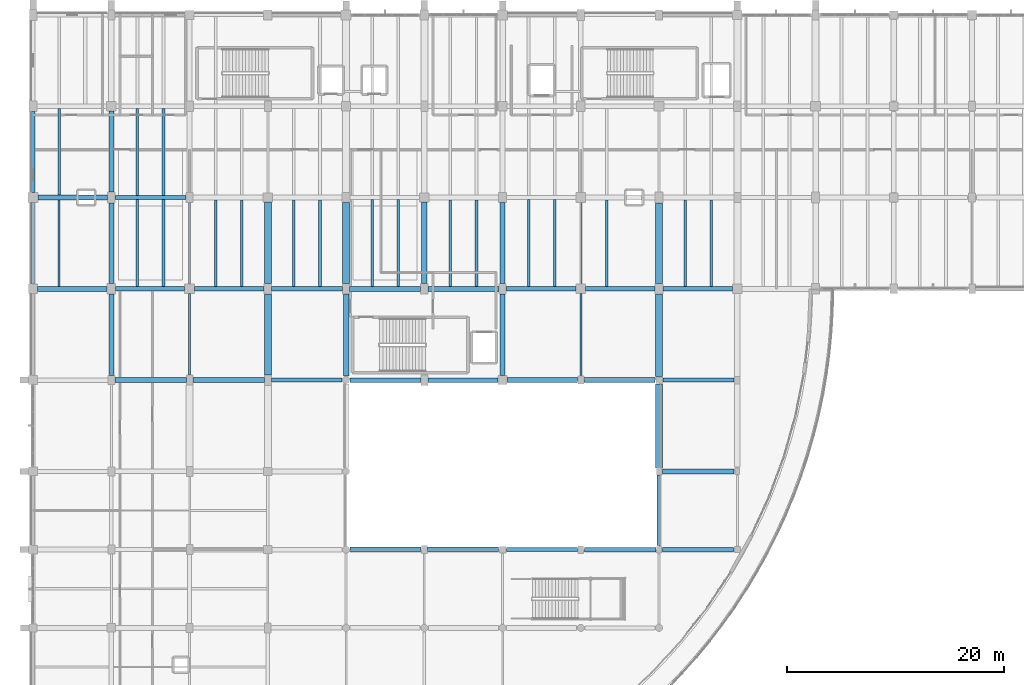
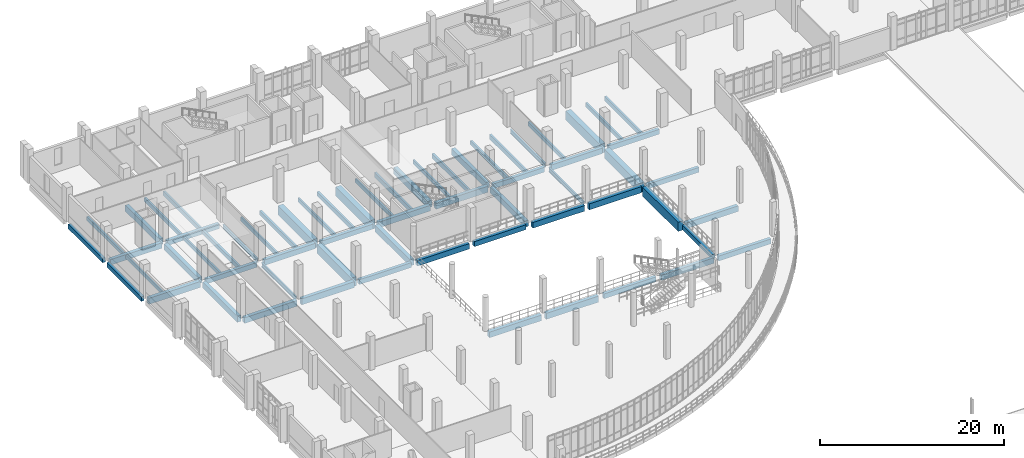
# One storey, part 53 of 134: 64 beams.
"""IFC4 building model written with IfcOpenShell, lengths in metres."""

from ifc_helpers import new_model, si_unit, direction, frame, origin, origin_2d, place, context, subcontext, project, spatial, rectangle, i_section, extrude, material, material_profile, profile_set, type_object, element, save


model = new_model("IFC4")

# Units and contexts
model_context = context("Model", 3, precision=1e-05, world=origin(), true_north=direction((0.0, 1.0)))
body_context = subcontext(model_context, "Body", "Model", "MODEL_VIEW")
ifc_project = project(units=[si_unit("LENGTHUNIT", "METRE"), si_unit("AREAUNIT", "SQUARE_METRE"), si_unit("VOLUMEUNIT", "CUBIC_METRE"), si_unit("PLANEANGLEUNIT", "RADIAN"), si_unit("MASSUNIT", "GRAM", prefix="KILO")], contexts=[model_context])

# Site, building, storey
site_placement = place(None, origin())
site = spatial("IfcSite", under=ifc_project, at=site_placement, CompositionType="ELEMENT")
building_placement = place(site_placement, origin())
building = spatial("IfcBuilding", under=site, at=building_placement, Name="Kalluvel Institute of Natural Sciences", CompositionType="ELEMENT")
storey_placement = place(building_placement, frame((0.0, 0.0, 5.39990234375)))
storey = spatial("IfcBuildingStorey", under=building, at=storey_placement, Name="L01", CompositionType="ELEMENT", Elevation=5.39990234375)

# Beams
ifc_material_1 = material(Name="Steel E350 Grade 350", Category="steel")
ifc_material_profile_1 = material_profile(ifc_material_1, i_section(OverallWidth=0.18994140625, OverallDepth=0.550048828125, WebThickness=0.01123046875, FlangeThickness=0.019287109375, FilletRadius=0.01806640625, at=origin_2d()), Name="ISMB 550")
ifc_profile_set_1 = profile_set([ifc_material_profile_1], Name="Steel E350 Grade 350")
beam_type_1 = type_object("IfcBeamType", Name="BM-ISMB550", PredefinedType="BEAM", material=ifc_profile_set_1)
beam_1_placement = place(storey_placement, frame((28.39990234375, 94.85009765625, -0.574951171875), z_axis=(0.0, 1.0, 0.0), x_axis=(-1.0, 0.0, 0.0)))
element("IfcBeam", 1, at=beam_1_placement, inside=storey, type_object=beam_type_1, Name="L01 girder GIR-L01-NS-X284-Y944", PredefinedType="BEAM", context=body_context, shape_type="SweptSolid", body=[
    extrude(i_section(OverallWidth=0.18994140625, OverallDepth=0.550048828125, WebThickness=0.01123046875, FlangeThickness=0.019287109375, FilletRadius=0.01806640625, at=origin_2d()), origin(), (0.0, 0.0, 1.0), 7.5),
])
beam_2_placement = place(storey_placement, frame((28.39990234375, 103.25, -0.594970703125), z_axis=(0.0, 1.0, 0.0), x_axis=(-1.0, 0.0, 0.0)))
element("IfcBeam", 2, at=beam_2_placement, inside=storey, type_object=beam_type_1, Name="L01 girder GIR-L01-NS-X284-Y1028", PredefinedType="BEAM", context=body_context, shape_type="SweptSolid", body=[
    extrude(i_section(OverallWidth=0.18994140625, OverallDepth=0.550048828125, WebThickness=0.01123046875, FlangeThickness=0.019287109375, FilletRadius=0.01806640625, at=origin_2d()), origin(), (0.0, 0.0, 1.0), 7.47509765625),
])
beam_3_placement = place(storey_placement, frame((64.39990234375, 94.800048828125, -0.594970703125), z_axis=(0.0, 1.0, 0.0), x_axis=(-1.0, 0.0, 0.0)))
element("IfcBeam", 3, at=beam_3_placement, inside=storey, type_object=beam_type_1, Name="L01 girder GIR-L01-NS-X644-Y944", PredefinedType="BEAM", context=body_context, shape_type="SweptSolid", body=[
    extrude(i_section(OverallWidth=0.18994140625, OverallDepth=0.550048828125, WebThickness=0.01123046875, FlangeThickness=0.019287109375, FilletRadius=0.01806640625, at=origin_2d()), origin(), (0.0, 0.0, 1.0), 7.574951171875),
])
beam_4_placement = place(storey_placement, frame((64.39990234375, 103.22509765625, -0.594970703125), z_axis=(0.0, 1.0, 0.0), x_axis=(-1.0, 0.0, 0.0)))
element("IfcBeam", 4, at=beam_4_placement, inside=storey, type_object=beam_type_1, Name="L01 girder GIR-L01-NS-X644-Y1028", PredefinedType="BEAM", context=body_context, shape_type="SweptSolid", body=[
    extrude(i_section(OverallWidth=0.18994140625, OverallDepth=0.550048828125, WebThickness=0.01123046875, FlangeThickness=0.019287109375, FilletRadius=0.01806640625, at=origin_2d()), origin(), (0.0, 0.0, 1.0), 7.52490234375),
])
ifc_material_2 = material(Name="Concrete M40", Category="concrete")
ifc_material_profile_2 = material_profile(ifc_material_2, rectangle(XDim=0.35009765625, YDim=0.60009765625, at=origin_2d()), Name="RCB 350x600")
ifc_profile_set_2 = profile_set([ifc_material_profile_2], Name="Concrete M40")
beam_type_2 = type_object("IfcBeamType", Name="BM-RC350x600", PredefinedType="BEAM", material=ifc_profile_set_2)
beam_5_placement = place(storey_placement, frame((71.60009765625, 79.199951171875, -0.619873046875), z_axis=(0.0, 1.0, 0.0), x_axis=(-1.0, 0.0, 0.0)))
element("IfcBeam", 5, at=beam_5_placement, inside=storey, type_object=beam_type_2, Name="L01 girder GIR-L01-NS-X716-Y788", PredefinedType="BEAM", context=body_context, shape_type="SweptSolid", body=[
    extrude(rectangle(XDim=0.35009765625, YDim=0.60009765625, at=origin_2d()), origin(), (0.0, 0.0, 1.0), 6.47509765625),
])
ifc_material_profile_3 = material_profile(ifc_material_2, rectangle(XDim=0.3798828125, YDim=0.639892578125, at=origin_2d()), Name="RCB 380x640")
ifc_profile_set_3 = profile_set([ifc_material_profile_3], Name="Concrete M40")
beam_type_3 = type_object("IfcBeamType", Name="BM-RC380x640", PredefinedType="BEAM", material=ifc_profile_set_3)
beam_6_placement = place(storey_placement, frame((57.550048828125, 78.800048828125, -0.639892578125), z_axis=(1.0, 0.0, 0.0), x_axis=(0.0, 1.0, 0.0)))
element("IfcBeam", 6, at=beam_6_placement, inside=storey, type_object=beam_type_3, Name="L01 girder GIR-L01-EW-X572-Y788", PredefinedType="BEAM", context=body_context, shape_type="SweptSolid", body=[
    extrude(rectangle(XDim=0.3798828125, YDim=0.639892578125, at=origin_2d()), origin(), (0.0, 0.0, 1.0), 6.52490234375),
])
beam_7_placement = place(storey_placement, frame((35.925048828125, 94.39990234375, -0.639892578125), z_axis=(1.0, 0.0, 0.0), x_axis=(0.0, 1.0, 0.0)))
element("IfcBeam", 7, at=beam_7_placement, inside=storey, type_object=beam_type_3, Name="L01 girder GIR-L01-EW-X356-Y944", PredefinedType="BEAM", context=body_context, shape_type="SweptSolid", body=[
    extrude(rectangle(XDim=0.3798828125, YDim=0.639892578125, at=origin_2d()), origin(), (0.0, 0.0, 1.0), 6.5),
])
beam_8_placement = place(storey_placement, frame((71.949951171875, 94.39990234375, -0.639892578125), z_axis=(1.0, 0.0, 0.0), x_axis=(0.0, 1.0, 0.0)))
element("IfcBeam", 8, at=beam_8_placement, inside=storey, type_object=beam_type_3, Name="L01 girder GIR-L01-EW-X716-Y944", PredefinedType="BEAM", context=body_context, shape_type="SweptSolid", body=[
    extrude(rectangle(XDim=0.3798828125, YDim=0.639892578125, at=origin_2d()), origin(), (0.0, 0.0, 1.0), 6.525146484375),
])
beam_9_placement = place(storey_placement, frame((21.574951171875, 102.800048828125, -0.639892578125), z_axis=(1.0, 0.0, 0.0), x_axis=(0.0, 1.0, 0.0)))
element("IfcBeam", 9, at=beam_9_placement, inside=storey, type_object=beam_type_3, Name="L01 girder GIR-L01-EW-X212-Y1028", PredefinedType="BEAM", context=body_context, shape_type="SweptSolid", body=[
    extrude(rectangle(XDim=0.3798828125, YDim=0.639892578125, at=origin_2d()), origin(), (0.0, 0.0, 1.0), 6.375),
])
beam_10_placement = place(storey_placement, frame((57.52490234375, 102.800048828125, -0.639892578125), z_axis=(1.0, 0.0, 0.0), x_axis=(0.0, 1.0, 0.0)))
element("IfcBeam", 10, at=beam_10_placement, inside=storey, type_object=beam_type_3, Name="L01 girder GIR-L01-EW-X572-Y1028", PredefinedType="BEAM", context=body_context, shape_type="SweptSolid", body=[
    extrude(rectangle(XDim=0.3798828125, YDim=0.639892578125, at=origin_2d()), origin(), (0.0, 0.0, 1.0), 6.4501953125),
])
ifc_material_profile_4 = material_profile(ifc_material_2, rectangle(XDim=0.39990234375, YDim=0.64990234375, at=origin_2d()), Name="RCB 400x650")
ifc_profile_set_4 = profile_set([ifc_material_profile_4], Name="Concrete M40")
beam_type_4 = type_object("IfcBeamType", Name="BM-RC400x650", PredefinedType="BEAM", material=ifc_profile_set_4)
beam_11_placement = place(storey_placement, frame((71.89990234375, 78.800048828125, -0.64501953125), z_axis=(1.0, 0.0, 0.0), x_axis=(0.0, 1.0, 0.0)))
element("IfcBeam", 11, at=beam_11_placement, inside=storey, type_object=beam_type_4, Name="L01 girder GIR-L01-EW-X716-Y788", PredefinedType="BEAM", context=body_context, shape_type="SweptSolid", body=[
    extrude(rectangle(XDim=0.39990234375, YDim=0.64990234375, at=origin_2d()), origin(), (0.0, 0.0, 1.0), 6.550048828125),
])
beam_12_placement = place(storey_placement, frame((50.324951171875, 94.39990234375, -0.64501953125), z_axis=(1.0, 0.0, 0.0), x_axis=(0.0, 1.0, 0.0)))
element("IfcBeam", 12, at=beam_12_placement, inside=storey, type_object=beam_type_4, Name="L01 girder GIR-L01-EW-X500-Y944", PredefinedType="BEAM", context=body_context, shape_type="SweptSolid", body=[
    extrude(rectangle(XDim=0.39990234375, YDim=0.64990234375, at=origin_2d()), origin(), (0.0, 0.0, 1.0), 6.449951171875),
])
beam_13_placement = place(storey_placement, frame((35.949951171875, 102.800048828125, -0.64501953125), z_axis=(1.0, 0.0, 0.0), x_axis=(0.0, 1.0, 0.0)))
element("IfcBeam", 13, at=beam_13_placement, inside=storey, type_object=beam_type_4, Name="L01 girder GIR-L01-EW-X356-Y1028", PredefinedType="BEAM", context=body_context, shape_type="SweptSolid", body=[
    extrude(rectangle(XDim=0.39990234375, YDim=0.64990234375, at=origin_2d()), origin(), (0.0, 0.0, 1.0), 6.525146484375),
])
beam_14_placement = place(storey_placement, frame((71.97509765625, 102.800048828125, -0.64501953125), z_axis=(1.0, 0.0, 0.0), x_axis=(0.0, 1.0, 0.0)))
element("IfcBeam", 14, at=beam_14_placement, inside=storey, type_object=beam_type_4, Name="L01 girder GIR-L01-EW-X716-Y1028", PredefinedType="BEAM", context=body_context, shape_type="SweptSolid", body=[
    extrude(rectangle(XDim=0.39990234375, YDim=0.64990234375, at=origin_2d()), origin(), (0.0, 0.0, 1.0), 6.375),
])
beam_15_placement = place(storey_placement, frame((21.550048828125, 111.199951171875, -0.64501953125), z_axis=(1.0, 0.0, 0.0), x_axis=(0.0, 1.0, 0.0)))
element("IfcBeam", 15, at=beam_15_placement, inside=storey, type_object=beam_type_4, Name="L01 girder GIR-L01-EW-X212-Y1112", PredefinedType="BEAM", context=body_context, shape_type="SweptSolid", body=[
    extrude(rectangle(XDim=0.39990234375, YDim=0.64990234375, at=origin_2d()), origin(), (0.0, 0.0, 1.0), 6.52490234375),
])
ifc_material_profile_5 = material_profile(ifc_material_2, rectangle(XDim=0.419921875, YDim=0.719970703125, at=origin_2d()), Name="RCB 420x720")
ifc_profile_set_5 = profile_set([ifc_material_profile_5], Name="Concrete M40")
beam_type_5 = type_object("IfcBeamType", Name="BM-RC420x720", PredefinedType="BEAM", material=ifc_profile_set_5)
beam_16_placement = place(storey_placement, frame((64.72509765625, 78.800048828125, -0.679931640625), z_axis=(1.0, 0.0, 0.0), x_axis=(0.0, 1.0, 0.0)))
element("IfcBeam", 16, at=beam_16_placement, inside=storey, type_object=beam_type_5, Name="L01 girder GIR-L01-EW-X644-Y788", PredefinedType="BEAM", context=body_context, shape_type="SweptSolid", body=[
    extrude(rectangle(XDim=0.419921875, YDim=0.719970703125, at=origin_2d()), origin(), (0.0, 0.0, 1.0), 6.574951171875),
])
beam_17_placement = place(storey_placement, frame((43.175048828125, 94.39990234375, -0.679931640625), z_axis=(1.0, 0.0, 0.0), x_axis=(0.0, 1.0, 0.0)))
element("IfcBeam", 17, at=beam_17_placement, inside=storey, type_object=beam_type_5, Name="L01 girder GIR-L01-EW-X428-Y944", PredefinedType="BEAM", context=body_context, shape_type="SweptSolid", body=[
    extrude(rectangle(XDim=0.419921875, YDim=0.719970703125, at=origin_2d()), origin(), (0.0, 0.0, 1.0), 6.5),
])
beam_18_placement = place(storey_placement, frame((28.85009765625, 102.800048828125, -0.679931640625), z_axis=(1.0, 0.0, 0.0), x_axis=(0.0, 1.0, 0.0)))
element("IfcBeam", 18, at=beam_18_placement, inside=storey, type_object=beam_type_5, Name="L01 girder GIR-L01-EW-X284-Y1028", PredefinedType="BEAM", context=body_context, shape_type="SweptSolid", body=[
    extrude(rectangle(XDim=0.419921875, YDim=0.719970703125, at=origin_2d()), origin(), (0.0, 0.0, 1.0), 6.39990234375),
])
for number, where, z_axis, x_axis, name in (
    (19, (64.824951171875, 102.800048828125, -0.679931640625), (1.0, 0.0, 0.0), (0.0, 1.0, 0.0), "L01 girder GIR-L01-EW-X644-Y1028"),
    (20, (14.449951171875, 111.199951171875, -0.679931640625), (1.0, 0.0, 0.0), (0.0, 1.0, 0.0), "L01 girder GIR-L01-EW-X140-Y1112"),
):
    element("IfcBeam", number, at=place(storey_placement, frame(where, z_axis=z_axis, x_axis=x_axis)), inside=storey, type_object=beam_type_5, Name=name, PredefinedType="BEAM", context=body_context, shape_type="SweptSolid", body=[
        extrude(rectangle(XDim=0.419921875, YDim=0.719970703125, at=origin_2d()), origin(), (0.0, 0.0, 1.0), 6.400146484375),
    ])
ifc_material_profile_6 = material_profile(ifc_material_2, rectangle(XDim=0.449951171875, YDim=0.75, at=origin_2d()), Name="RCB 450x750")
ifc_profile_set_6 = profile_set([ifc_material_profile_6], Name="Concrete M40")
beam_type_6 = type_object("IfcBeamType", Name="BM-RC450x750", PredefinedType="BEAM", material=ifc_profile_set_6)
beam_19_placement = place(storey_placement, frame((43.175048828125, 78.800048828125, -0.69482421875), z_axis=(1.0, 0.0, 0.0), x_axis=(0.0, 1.0, 0.0)))
element("IfcBeam", 21, at=beam_19_placement, inside=storey, type_object=beam_type_6, Name="L01 girder GIR-L01-EW-X428-Y788", PredefinedType="BEAM", context=body_context, shape_type="SweptSolid", body=[
    extrude(rectangle(XDim=0.449951171875, YDim=0.75, at=origin_2d()), origin(), (0.0, 0.0, 1.0), 6.52490234375),
])
beam_20_placement = place(storey_placement, frame((71.925048828125, 86.0, -0.69482421875), z_axis=(1.0, 0.0, 0.0), x_axis=(0.0, 1.0, 0.0)))
element("IfcBeam", 22, at=beam_20_placement, inside=storey, type_object=beam_type_6, Name="L01 girder GIR-L01-EW-X716-Y860", PredefinedType="BEAM", context=body_context, shape_type="SweptSolid", body=[
    extrude(rectangle(XDim=0.449951171875, YDim=0.75, at=origin_2d()), origin(), (0.0, 0.0, 1.0), 6.574951171875),
])
beam_21_placement = place(storey_placement, frame((21.52490234375, 94.39990234375, -0.6748046875), z_axis=(1.0, 0.0, 0.0), x_axis=(0.0, 1.0, 0.0)))
element("IfcBeam", 23, at=beam_21_placement, inside=storey, type_object=beam_type_6, Name="L01 girder GIR-L01-EW-X212-Y944", PredefinedType="BEAM", context=body_context, shape_type="SweptSolid", body=[
    extrude(rectangle(XDim=0.449951171875, YDim=0.75, at=origin_2d()), origin(), (0.0, 0.0, 1.0), 6.5751953125),
])
beam_22_placement = place(storey_placement, frame((57.625, 94.39990234375, -0.69482421875), z_axis=(1.0, 0.0, 0.0), x_axis=(0.0, 1.0, 0.0)))
element("IfcBeam", 24, at=beam_22_placement, inside=storey, type_object=beam_type_6, Name="L01 girder GIR-L01-EW-X572-Y944", PredefinedType="BEAM", context=body_context, shape_type="SweptSolid", body=[
    extrude(rectangle(XDim=0.449951171875, YDim=0.75, at=origin_2d()), origin(), (0.0, 0.0, 1.0), 6.47509765625),
])
beam_23_placement = place(storey_placement, frame((43.125, 102.800048828125, -0.69482421875), z_axis=(1.0, 0.0, 0.0), x_axis=(0.0, 1.0, 0.0)))
element("IfcBeam", 25, at=beam_23_placement, inside=storey, type_object=beam_type_6, Name="L01 girder GIR-L01-EW-X428-Y1028", PredefinedType="BEAM", context=body_context, shape_type="SweptSolid", body=[
    extrude(rectangle(XDim=0.449951171875, YDim=0.75, at=origin_2d()), origin(), (0.0, 0.0, 1.0), 6.52490234375),
])
ifc_material_profile_7 = material_profile(ifc_material_2, rectangle(XDim=0.449951171875, YDim=0.800048828125, at=origin_2d()), Name="RCB 450x800")
ifc_profile_set_7 = profile_set([ifc_material_profile_7], Name="Concrete M40")
beam_type_7 = type_object("IfcBeamType", Name="BM-RC450x800", PredefinedType="BEAM", material=ifc_profile_set_7)
beam_24_placement = place(storey_placement, frame((50.300048828125, 78.800048828125, -0.719970703125), z_axis=(1.0, 0.0, 0.0), x_axis=(0.0, 1.0, 0.0)))
element("IfcBeam", 26, at=beam_24_placement, inside=storey, type_object=beam_type_7, Name="L01 girder GIR-L01-EW-X500-Y788", PredefinedType="BEAM", context=body_context, shape_type="SweptSolid", body=[
    extrude(rectangle(XDim=0.449951171875, YDim=0.800048828125, at=origin_2d()), origin(), (0.0, 0.0, 1.0), 6.550048828125),
])
beam_25_placement = place(storey_placement, frame((28.699951171875, 94.39990234375, -0.699951171875), z_axis=(1.0, 0.0, 0.0), x_axis=(0.0, 1.0, 0.0)))
element("IfcBeam", 27, at=beam_25_placement, inside=storey, type_object=beam_type_7, Name="L01 girder GIR-L01-EW-X284-Y944", PredefinedType="BEAM", context=body_context, shape_type="SweptSolid", body=[
    extrude(rectangle(XDim=0.449951171875, YDim=0.800048828125, at=origin_2d()), origin(), (0.0, 0.0, 1.0), 6.574951171875),
])
beam_26_placement = place(storey_placement, frame((64.699951171875, 94.39990234375, -0.719970703125), z_axis=(1.0, 0.0, 0.0), x_axis=(0.0, 1.0, 0.0)))
element("IfcBeam", 28, at=beam_26_placement, inside=storey, type_object=beam_type_7, Name="L01 girder GIR-L01-EW-X644-Y944", PredefinedType="BEAM", context=body_context, shape_type="SweptSolid", body=[
    extrude(rectangle(XDim=0.449951171875, YDim=0.800048828125, at=origin_2d()), origin(), (0.0, 0.0, 1.0), 6.550048828125),
])
beam_27_placement = place(storey_placement, frame((14.425048828125, 102.800048828125, -0.719970703125), z_axis=(1.0, 0.0, 0.0), x_axis=(0.0, 1.0, 0.0)))
element("IfcBeam", 29, at=beam_27_placement, inside=storey, type_object=beam_type_7, Name="L01 girder GIR-L01-EW-X140-Y1028", PredefinedType="BEAM", context=body_context, shape_type="SweptSolid", body=[
    extrude(rectangle(XDim=0.449951171875, YDim=0.800048828125, at=origin_2d()), origin(), (0.0, 0.0, 1.0), 6.39990234375),
])
beam_28_placement = place(storey_placement, frame((50.35009765625, 102.800048828125, -0.719970703125), z_axis=(1.0, 0.0, 0.0), x_axis=(0.0, 1.0, 0.0)))
element("IfcBeam", 30, at=beam_28_placement, inside=storey, type_object=beam_type_7, Name="L01 girder GIR-L01-EW-X500-Y1028", PredefinedType="BEAM", context=body_context, shape_type="SweptSolid", body=[
    extrude(rectangle(XDim=0.449951171875, YDim=0.800048828125, at=origin_2d()), origin(), (0.0, 0.0, 1.0), 6.52490234375),
])
beam_29_placement = place(storey_placement, frame((21.199951171875, 94.824951171875, -0.699951171875), z_axis=(0.0, 1.0, 0.0), x_axis=(-1.0, 0.0, 0.0)))
element("IfcBeam", 31, at=beam_29_placement, inside=storey, type_object=beam_type_7, Name="L01 girder GIR-L01-NS-X212-Y944", PredefinedType="BEAM", context=body_context, shape_type="SweptSolid", body=[
    extrude(rectangle(XDim=0.449951171875, YDim=0.800048828125, at=origin_2d()), origin(), (0.0, 0.0, 1.0), 7.5),
])
beam_30_placement = place(storey_placement, frame((21.199951171875, 103.27490234375, -0.719970703125), z_axis=(0.0, 1.0, 0.0), x_axis=(-1.0, 0.0, 0.0)))
element("IfcBeam", 32, at=beam_30_placement, inside=storey, type_object=beam_type_7, Name="L01 girder GIR-L01-NS-X212-Y1028", PredefinedType="BEAM", context=body_context, shape_type="SweptSolid", body=[
    extrude(rectangle(XDim=0.449951171875, YDim=0.800048828125, at=origin_2d()), origin(), (0.0, 0.0, 1.0), 7.425048828125),
])
beam_31_placement = place(storey_placement, frame((21.199951171875, 111.699951171875, -0.719970703125), z_axis=(0.0, 1.0, 0.0), x_axis=(-1.0, 0.0, 0.0)))
element("IfcBeam", 33, at=beam_31_placement, inside=storey, type_object=beam_type_7, Name="L01 girder GIR-L01-NS-X212-Y1112", PredefinedType="BEAM", context=body_context, shape_type="SweptSolid", body=[
    extrude(rectangle(XDim=0.449951171875, YDim=0.800048828125, at=origin_2d()), origin(), (0.0, 0.0, 1.0), 7.449951171875),
])
beam_32_placement = place(storey_placement, frame((57.199951171875, 94.824951171875, -0.719970703125), z_axis=(0.0, 1.0, 0.0), x_axis=(-1.0, 0.0, 0.0)))
element("IfcBeam", 34, at=beam_32_placement, inside=storey, type_object=beam_type_7, Name="L01 girder GIR-L01-NS-X572-Y944", PredefinedType="BEAM", context=body_context, shape_type="SweptSolid", body=[
    extrude(rectangle(XDim=0.449951171875, YDim=0.800048828125, at=origin_2d()), origin(), (0.0, 0.0, 1.0), 7.5),
])
beam_33_placement = place(storey_placement, frame((57.199951171875, 103.27490234375, -0.719970703125), z_axis=(0.0, 1.0, 0.0), x_axis=(-1.0, 0.0, 0.0)))
element("IfcBeam", 35, at=beam_33_placement, inside=storey, type_object=beam_type_7, Name="L01 girder GIR-L01-NS-X572-Y1028", PredefinedType="BEAM", context=body_context, shape_type="SweptSolid", body=[
    extrude(rectangle(XDim=0.449951171875, YDim=0.800048828125, at=origin_2d()), origin(), (0.0, 0.0, 1.0), 7.4501953125),
])
ifc_material_3 = material(Name="Concrete M50", Category="concrete")
ifc_material_profile_8 = material_profile(ifc_material_3, rectangle(XDim=0.5, YDim=0.85009765625, at=origin_2d()), Name="RCB 500x850")
ifc_profile_set_8 = profile_set([ifc_material_profile_8], Name="Concrete M50")
beam_type_8 = type_object("IfcBeamType", Name="BM-RC500x850", PredefinedType="BEAM", material=ifc_profile_set_8)
beam_34_placement = place(storey_placement, frame((42.800048828125, 94.77490234375, -0.744873046875), z_axis=(0.0, 1.0, 0.0), x_axis=(-1.0, 0.0, 0.0)))
element("IfcBeam", 36, at=beam_34_placement, inside=storey, type_object=beam_type_8, Name="L01 girder GIR-L01-NS-X428-Y944", PredefinedType="BEAM", context=body_context, shape_type="SweptSolid", body=[
    extrude(rectangle(XDim=0.5, YDim=0.85009765625, at=origin_2d()), origin(), (0.0, 0.0, 1.0), 7.550048828125),
])
beam_35_placement = place(storey_placement, frame((50.0, 103.300048828125, -0.744873046875), z_axis=(0.0, 1.0, 0.0), x_axis=(-1.0, 0.0, 0.0)))
element("IfcBeam", 37, at=beam_35_placement, inside=storey, type_object=beam_type_8, Name="L01 girder GIR-L01-NS-X500-Y1028", PredefinedType="BEAM", context=body_context, shape_type="SweptSolid", body=[
    extrude(rectangle(XDim=0.5, YDim=0.85009765625, at=origin_2d()), origin(), (0.0, 0.0, 1.0), 7.474853515625),
])
ifc_material_profile_9 = material_profile(ifc_material_3, rectangle(XDim=0.64990234375, YDim=1.199951171875, at=origin_2d()), Name="RCB 650x1200")
ifc_profile_set_9 = profile_set([ifc_material_profile_9], Name="Concrete M50")
beam_type_9 = type_object("IfcBeamType", Name="BM-RC650x1200", PredefinedType="BEAM", material=ifc_profile_set_9)
beam_36_placement = place(storey_placement, frame((35.60009765625, 94.875, -0.89990234375), z_axis=(0.0, 1.0, 0.0), x_axis=(-1.0, 0.0, 0.0)))
element("IfcBeam", 38, at=beam_36_placement, inside=storey, type_object=beam_type_9, Name="L01 girder GIR-L01-NS-X356-Y944", PredefinedType="BEAM", context=body_context, shape_type="SweptSolid", body=[
    extrude(rectangle(XDim=0.64990234375, YDim=1.199951171875, at=origin_2d()), origin(), (0.0, 0.0, 1.0), 7.425048828125),
])
beam_37_placement = place(storey_placement, frame((35.60009765625, 103.300048828125, -0.919921875), z_axis=(0.0, 1.0, 0.0), x_axis=(-1.0, 0.0, 0.0)))
element("IfcBeam", 39, at=beam_37_placement, inside=storey, type_object=beam_type_9, Name="L01 girder GIR-L01-NS-X356-Y1028", PredefinedType="BEAM", context=body_context, shape_type="SweptSolid", body=[
    extrude(rectangle(XDim=0.64990234375, YDim=1.199951171875, at=origin_2d()), origin(), (0.0, 0.0, 1.0), 7.474853515625),
])
beam_38_placement = place(storey_placement, frame((42.800048828125, 103.27490234375, -0.919921875), z_axis=(0.0, 1.0, 0.0), x_axis=(-1.0, 0.0, 0.0)))
element("IfcBeam", 40, at=beam_38_placement, inside=storey, type_object=beam_type_9, Name="L01 girder GIR-L01-NS-X428-Y1028", PredefinedType="BEAM", context=body_context, shape_type="SweptSolid", body=[
    extrude(rectangle(XDim=0.64990234375, YDim=1.199951171875, at=origin_2d()), origin(), (0.0, 0.0, 1.0), 7.4501953125),
])
beam_39_placement = place(storey_placement, frame((71.60009765625, 86.324951171875, -0.919921875), z_axis=(0.0, 1.0, 0.0), x_axis=(-1.0, 0.0, 0.0)))
element("IfcBeam", 41, at=beam_39_placement, inside=storey, type_object=beam_type_9, Name="L01 girder GIR-L01-NS-X716-Y860", PredefinedType="BEAM", context=body_context, shape_type="SweptSolid", body=[
    extrude(rectangle(XDim=0.64990234375, YDim=1.199951171875, at=origin_2d()), origin(), (0.0, 0.0, 1.0), 7.72509765625),
])
beam_40_placement = place(storey_placement, frame((71.60009765625, 94.75, -0.919921875), z_axis=(0.0, 1.0, 0.0), x_axis=(-1.0, 0.0, 0.0)))
element("IfcBeam", 42, at=beam_40_placement, inside=storey, type_object=beam_type_9, Name="L01 girder GIR-L01-NS-X716-Y944", PredefinedType="BEAM", context=body_context, shape_type="SweptSolid", body=[
    extrude(rectangle(XDim=0.64990234375, YDim=1.199951171875, at=origin_2d()), origin(), (0.0, 0.0, 1.0), 7.574951171875),
])
beam_41_placement = place(storey_placement, frame((71.60009765625, 103.27490234375, -0.919921875), z_axis=(0.0, 1.0, 0.0), x_axis=(-1.0, 0.0, 0.0)))
element("IfcBeam", 43, at=beam_41_placement, inside=storey, type_object=beam_type_9, Name="L01 girder GIR-L01-NS-X716-Y1028", PredefinedType="BEAM", context=body_context, shape_type="SweptSolid", body=[
    extrude(rectangle(XDim=0.64990234375, YDim=1.199951171875, at=origin_2d()), origin(), (0.0, 0.0, 1.0), 7.425048828125),
])
ifc_material_profile_10 = material_profile(ifc_material_2, rectangle(XDim=0.35009765625, YDim=0.60009765625, at=origin_2d()), Name="RCB 350x600")
ifc_profile_set_10 = profile_set([ifc_material_profile_10], Name="Concrete M40")
beam_type_10 = type_object("IfcBeamType", Name="SP-RC350x600", PredefinedType="SPANDREL", material=ifc_profile_set_10)
beam_42_placement = place(storey_placement, frame((14.0, 103.22509765625, -0.619873046875), z_axis=(0.0, 1.0, 0.0), x_axis=(-1.0, 0.0, 0.0)))
element("IfcBeam", 44, at=beam_42_placement, inside=storey, type_object=beam_type_10, Name="L01 girder GIR-L01-NS-X140-Y1028", PredefinedType="SPANDREL", context=body_context, shape_type="SweptSolid", body=[
    extrude(rectangle(XDim=0.35009765625, YDim=0.60009765625, at=origin_2d()), origin(), (0.0, 0.0, 1.0), 7.52490234375),
])
beam_43_placement = place(storey_placement, frame((14.0, 111.64990234375, -0.619873046875), z_axis=(0.0, 1.0, 0.0), x_axis=(-1.0, 0.0, 0.0)))
element("IfcBeam", 45, at=beam_43_placement, inside=storey, type_object=beam_type_10, Name="L01 girder GIR-L01-NS-X140-Y1112", PredefinedType="SPANDREL", context=body_context, shape_type="SweptSolid", body=[
    extrude(rectangle(XDim=0.35009765625, YDim=0.60009765625, at=origin_2d()), origin(), (0.0, 0.0, 1.0), 7.47509765625),
])
ifc_material_profile_11 = material_profile(ifc_material_2, rectangle(XDim=0.199951171875, YDim=0.4599609375, at=origin_2d()), Name="WAF 200x460")
ifc_profile_set_11 = profile_set([ifc_material_profile_11], Name="Concrete M40")
beam_type_11 = type_object("IfcBeamType", Name="WJ-200x460", PredefinedType="JOIST", material=ifc_profile_set_11)
beam_44_placement = place(storey_placement, frame((16.39990234375, 103.02490234375, -0.5498046875), z_axis=(0.0, 1.0, 0.0), x_axis=(-1.0, 0.0, 0.0)))
element("IfcBeam", 46, at=beam_44_placement, inside=storey, type_object=beam_type_11, Name="L01 waffle joist RIB-L01-0068", PredefinedType="JOIST", context=body_context, shape_type="SweptSolid", body=[
    extrude(rectangle(XDim=0.199951171875, YDim=0.4599609375, at=origin_2d()), origin(), (0.0, 0.0, 1.0), 7.965087890625),
])
ifc_material_profile_12 = material_profile(ifc_material_2, rectangle(XDim=0.219970703125, YDim=0.5, at=origin_2d()), Name="WAF 220x500")
ifc_profile_set_12 = profile_set([ifc_material_profile_12], Name="Concrete M40")
beam_type_12 = type_object("IfcBeamType", Name="WJ-220x500", PredefinedType="JOIST", material=ifc_profile_set_12)
beam_45_placement = place(storey_placement, frame((16.39990234375, 111.409912109375, -0.56982421875), z_axis=(0.0, 1.0, 0.0), x_axis=(-1.0, 0.0, 0.0)))
element("IfcBeam", 47, at=beam_45_placement, inside=storey, type_object=beam_type_12, Name="L01 waffle joist RIB-L01-0069", PredefinedType="JOIST", context=body_context, shape_type="SweptSolid", body=[
    extrude(rectangle(XDim=0.219970703125, YDim=0.5, at=origin_2d()), origin(), (0.0, 0.0, 1.0), 7.965087890625),
])
beam_46_placement = place(storey_placement, frame((23.60009765625, 102.989990234375, -0.56982421875), z_axis=(0.0, 1.0, 0.0), x_axis=(-1.0, 0.0, 0.0)))
element("IfcBeam", 48, at=beam_46_placement, inside=storey, type_object=beam_type_12, Name="L01 waffle joist RIB-L01-0072", PredefinedType="JOIST", context=body_context, shape_type="SweptSolid", body=[
    extrude(rectangle(XDim=0.219970703125, YDim=0.5, at=origin_2d()), origin(), (0.0, 0.0, 1.0), 8.010009765625),
])
beam_47_placement = place(storey_placement, frame((30.800048828125, 103.010009765625, -0.56982421875), z_axis=(0.0, 1.0, 0.0), x_axis=(-1.0, 0.0, 0.0)))
element("IfcBeam", 49, at=beam_47_placement, inside=storey, type_object=beam_type_12, Name="L01 waffle joist RIB-L01-0078", PredefinedType="JOIST", context=body_context, shape_type="SweptSolid", body=[
    extrude(rectangle(XDim=0.219970703125, YDim=0.5, at=origin_2d()), origin(), (0.0, 0.0, 1.0), 7.965087890625),
])
beam_48_placement = place(storey_placement, frame((38.0, 103.0, -0.56982421875), z_axis=(0.0, 1.0, 0.0), x_axis=(-1.0, 0.0, 0.0)))
element("IfcBeam", 50, at=beam_48_placement, inside=storey, type_object=beam_type_12, Name="L01 waffle joist RIB-L01-0083", PredefinedType="JOIST", context=body_context, shape_type="SweptSolid", body=[
    extrude(rectangle(XDim=0.219970703125, YDim=0.5, at=origin_2d()), origin(), (0.0, 0.0, 1.0), 7.97509765625),
])
beam_49_placement = place(storey_placement, frame((45.199951171875, 103.02490234375, -0.56982421875), z_axis=(0.0, 1.0, 0.0), x_axis=(-1.0, 0.0, 0.0)))
element("IfcBeam", 51, at=beam_49_placement, inside=storey, type_object=beam_type_12, Name="L01 waffle joist RIB-L01-0088", PredefinedType="JOIST", context=body_context, shape_type="SweptSolid", body=[
    extrude(rectangle(XDim=0.219970703125, YDim=0.5, at=origin_2d()), origin(), (0.0, 0.0, 1.0), 7.985107421875),
])
beam_50_placement = place(storey_placement, frame((52.39990234375, 103.02490234375, -0.56982421875), z_axis=(0.0, 1.0, 0.0), x_axis=(-1.0, 0.0, 0.0)))
element("IfcBeam", 52, at=beam_50_placement, inside=storey, type_object=beam_type_12, Name="L01 waffle joist RIB-L01-0094", PredefinedType="JOIST", context=body_context, shape_type="SweptSolid", body=[
    extrude(rectangle(XDim=0.219970703125, YDim=0.5, at=origin_2d()), origin(), (0.0, 0.0, 1.0), 7.965087890625),
])
ifc_material_profile_13 = material_profile(ifc_material_2, rectangle(XDim=0.239990234375, YDim=0.52001953125, at=origin_2d()), Name="WAF 240x520")
ifc_profile_set_13 = profile_set([ifc_material_profile_13], Name="Concrete M40")
beam_type_13 = type_object("IfcBeamType", Name="WJ-240x520", PredefinedType="JOIST", material=ifc_profile_set_13)
beam_51_placement = place(storey_placement, frame((23.60009765625, 111.39990234375, -0.579833984375), z_axis=(0.0, 1.0, 0.0), x_axis=(-1.0, 0.0, 0.0)))
element("IfcBeam", 53, at=beam_51_placement, inside=storey, type_object=beam_type_13, Name="L01 waffle joist RIB-L01-0074", PredefinedType="JOIST", context=body_context, shape_type="SweptSolid", body=[
    extrude(rectangle(XDim=0.239990234375, YDim=0.52001953125, at=origin_2d()), origin(), (0.0, 0.0, 1.0), 7.97509765625),
])
beam_52_placement = place(storey_placement, frame((59.60009765625, 102.989990234375, -0.579833984375), z_axis=(0.0, 1.0, 0.0), x_axis=(-1.0, 0.0, 0.0)))
element("IfcBeam", 54, at=beam_52_placement, inside=storey, type_object=beam_type_13, Name="L01 waffle joist RIB-L01-0100", PredefinedType="JOIST", context=body_context, shape_type="SweptSolid", body=[
    extrude(rectangle(XDim=0.239990234375, YDim=0.52001953125, at=origin_2d()), origin(), (0.0, 0.0, 1.0), 8.010009765625),
])
beam_53_placement = place(storey_placement, frame((66.800048828125, 103.010009765625, -0.579833984375), z_axis=(0.0, 1.0, 0.0), x_axis=(-1.0, 0.0, 0.0)))
element("IfcBeam", 55, at=beam_53_placement, inside=storey, type_object=beam_type_13, Name="L01 waffle joist RIB-L01-0106", PredefinedType="JOIST", context=body_context, shape_type="SweptSolid", body=[
    extrude(rectangle(XDim=0.239990234375, YDim=0.52001953125, at=origin_2d()), origin(), (0.0, 0.0, 1.0), 7.965087890625),
])
beam_54_placement = place(storey_placement, frame((74.0, 103.0, -0.579833984375), z_axis=(0.0, 1.0, 0.0), x_axis=(-1.0, 0.0, 0.0)))
element("IfcBeam", 56, at=beam_54_placement, inside=storey, type_object=beam_type_13, Name="L01 waffle joist RIB-L01-0108", PredefinedType="JOIST", context=body_context, shape_type="SweptSolid", body=[
    extrude(rectangle(XDim=0.239990234375, YDim=0.52001953125, at=origin_2d()), origin(), (0.0, 0.0, 1.0), 7.97509765625),
])
ifc_material_profile_14 = material_profile(ifc_material_2, rectangle(XDim=0.25, YDim=0.550048828125, at=origin_2d()), Name="WAF 250x550")
ifc_profile_set_14 = profile_set([ifc_material_profile_14], Name="Concrete M40")
beam_type_14 = type_object("IfcBeamType", Name="WJ-250x550", PredefinedType="JOIST", material=ifc_profile_set_14)
beam_55_placement = place(storey_placement, frame((26.0, 102.989990234375, -0.594970703125), z_axis=(0.0, 1.0, 0.0), x_axis=(-1.0, 0.0, 0.0)))
element("IfcBeam", 57, at=beam_55_placement, inside=storey, type_object=beam_type_14, Name="L01 waffle joist RIB-L01-0073", PredefinedType="JOIST", context=body_context, shape_type="SweptSolid", body=[
    extrude(rectangle(XDim=0.25, YDim=0.550048828125, at=origin_2d()), origin(), (0.0, 0.0, 1.0), 8.010009765625),
])
beam_56_placement = place(storey_placement, frame((33.199951171875, 103.010009765625, -0.594970703125), z_axis=(0.0, 1.0, 0.0), x_axis=(-1.0, 0.0, 0.0)))
element("IfcBeam", 58, at=beam_56_placement, inside=storey, type_object=beam_type_14, Name="L01 waffle joist RIB-L01-0079", PredefinedType="JOIST", context=body_context, shape_type="SweptSolid", body=[
    extrude(rectangle(XDim=0.25, YDim=0.550048828125, at=origin_2d()), origin(), (0.0, 0.0, 1.0), 7.965087890625),
])
beam_57_placement = place(storey_placement, frame((40.39990234375, 103.0, -0.594970703125), z_axis=(0.0, 1.0, 0.0), x_axis=(-1.0, 0.0, 0.0)))
element("IfcBeam", 59, at=beam_57_placement, inside=storey, type_object=beam_type_14, Name="L01 waffle joist RIB-L01-0084", PredefinedType="JOIST", context=body_context, shape_type="SweptSolid", body=[
    extrude(rectangle(XDim=0.25, YDim=0.550048828125, at=origin_2d()), origin(), (0.0, 0.0, 1.0), 7.97509765625),
])
ifc_material_profile_15 = material_profile(ifc_material_2, rectangle(XDim=0.25, YDim=0.60009765625, at=origin_2d()), Name="WAF 250x600")
ifc_profile_set_15 = profile_set([ifc_material_profile_15], Name="Concrete M40")
beam_type_15 = type_object("IfcBeamType", Name="WJ-250x600", PredefinedType="JOIST", material=ifc_profile_set_15)
beam_58_placement = place(storey_placement, frame((26.0, 111.39990234375, -0.619873046875), z_axis=(0.0, 1.0, 0.0), x_axis=(-1.0, 0.0, 0.0)))
element("IfcBeam", 60, at=beam_58_placement, inside=storey, type_object=beam_type_15, Name="L01 waffle joist RIB-L01-0075", PredefinedType="JOIST", context=body_context, shape_type="SweptSolid", body=[
    extrude(rectangle(XDim=0.25, YDim=0.60009765625, at=origin_2d()), origin(), (0.0, 0.0, 1.0), 7.97509765625),
])
beam_59_placement = place(storey_placement, frame((47.60009765625, 103.02490234375, -0.619873046875), z_axis=(0.0, 1.0, 0.0), x_axis=(-1.0, 0.0, 0.0)))
element("IfcBeam", 61, at=beam_59_placement, inside=storey, type_object=beam_type_15, Name="L01 waffle joist RIB-L01-0089", PredefinedType="JOIST", context=body_context, shape_type="SweptSolid", body=[
    extrude(rectangle(XDim=0.25, YDim=0.60009765625, at=origin_2d()), origin(), (0.0, 0.0, 1.0), 7.985107421875),
])
beam_60_placement = place(storey_placement, frame((54.800048828125, 103.02490234375, -0.619873046875), z_axis=(0.0, 1.0, 0.0), x_axis=(-1.0, 0.0, 0.0)))
element("IfcBeam", 62, at=beam_60_placement, inside=storey, type_object=beam_type_15, Name="L01 waffle joist RIB-L01-0095", PredefinedType="JOIST", context=body_context, shape_type="SweptSolid", body=[
    extrude(rectangle(XDim=0.25, YDim=0.60009765625, at=origin_2d()), origin(), (0.0, 0.0, 1.0), 7.965087890625),
])
beam_61_placement = place(storey_placement, frame((62.0, 102.989990234375, -0.619873046875), z_axis=(0.0, 1.0, 0.0), x_axis=(-1.0, 0.0, 0.0)))
element("IfcBeam", 63, at=beam_61_placement, inside=storey, type_object=beam_type_15, Name="L01 waffle joist RIB-L01-0101", PredefinedType="JOIST", context=body_context, shape_type="SweptSolid", body=[
    extrude(rectangle(XDim=0.25, YDim=0.60009765625, at=origin_2d()), origin(), (0.0, 0.0, 1.0), 8.010009765625),
])
beam_62_placement = place(storey_placement, frame((76.39990234375, 103.0, -0.619873046875), z_axis=(0.0, 1.0, 0.0), x_axis=(-1.0, 0.0, 0.0)))
element("IfcBeam", 64, at=beam_62_placement, inside=storey, type_object=beam_type_15, Name="L01 waffle joist RIB-L01-0109", PredefinedType="JOIST", context=body_context, shape_type="SweptSolid", body=[
    extrude(rectangle(XDim=0.25, YDim=0.60009765625, at=origin_2d()), origin(), (0.0, 0.0, 1.0), 7.97509765625),
])

save(model, "model.ifc")
